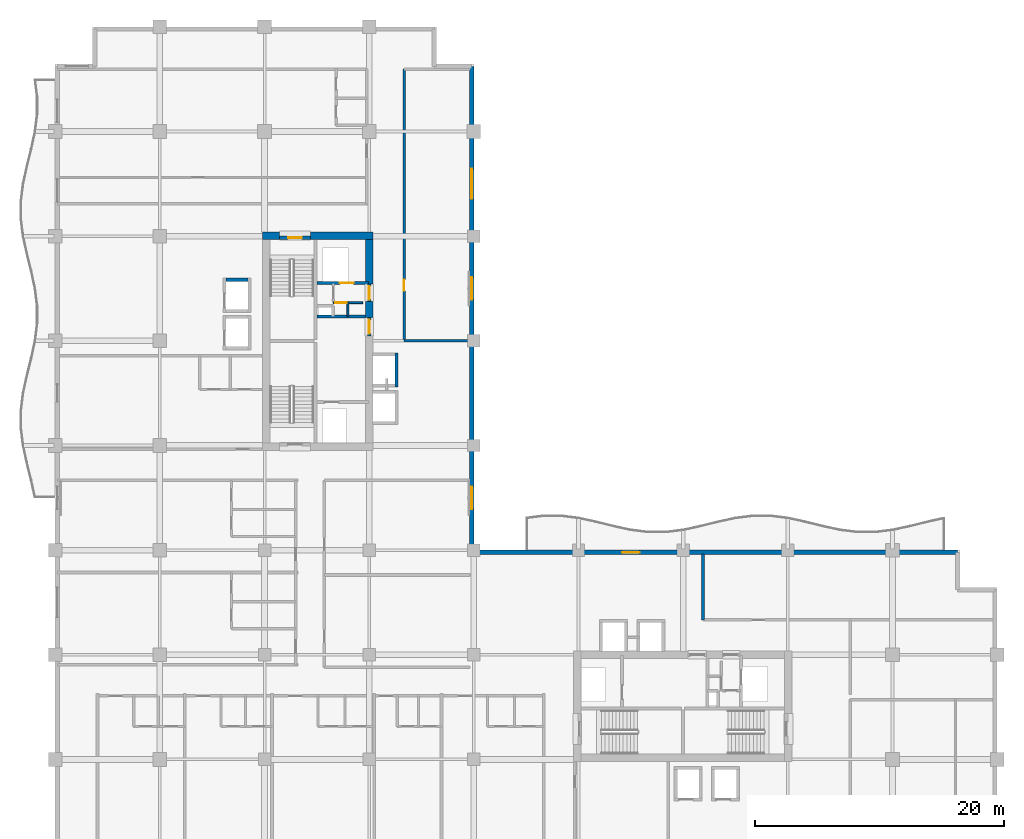
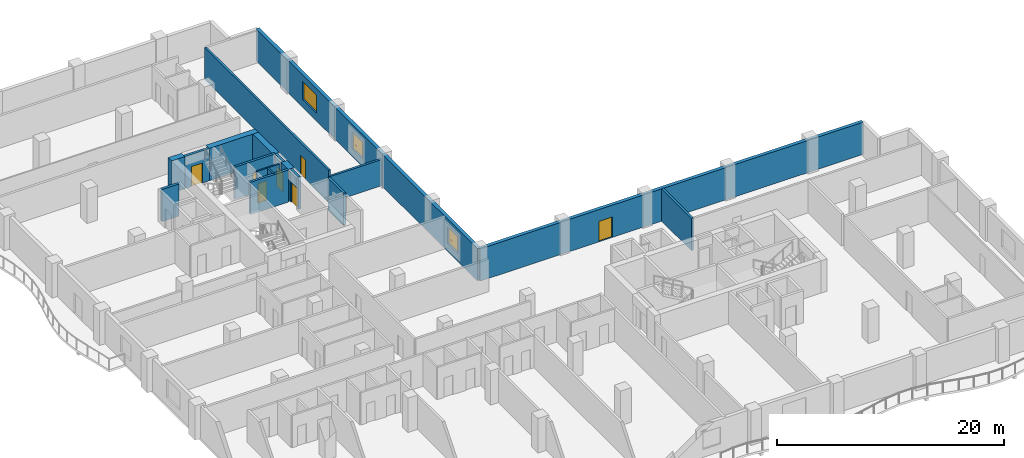
# One storey, part 8 of 15: 18 walls, 7 doors, 3 windows, 10 openings.
"""IFC4 building model written with IfcOpenShell, lengths in metres."""

from ifc_helpers import new_model, si_unit, direction, frame, frame_2d, origin, place, context, subcontext, project, spatial, rectangle, extrude, material, layer, layer_set, type_object, element, fill, save


model = new_model("IFC4")

# Units and contexts
model_context = context("Model", 3, precision=1e-05, world=origin(), true_north=direction((0.0, 1.0)))
body_context = subcontext(model_context, "Body", "Model", "MODEL_VIEW")
ifc_project = project(units=[si_unit("LENGTHUNIT", "METRE"), si_unit("AREAUNIT", "SQUARE_METRE"), si_unit("VOLUMEUNIT", "CUBIC_METRE"), si_unit("PLANEANGLEUNIT", "RADIAN"), si_unit("MASSUNIT", "GRAM", prefix="KILO")], contexts=[model_context])

# Site, building, storey
site_placement = place(None, origin())
site = spatial("IfcSite", under=ifc_project, at=site_placement, CompositionType="ELEMENT")
building_placement = place(site_placement, origin())
building = spatial("IfcBuilding", under=site, at=building_placement, Name="Koriwani Terraces Tower", CompositionType="ELEMENT")
storey_placement = place(building_placement, frame((0.0, 0.0, 193.89990234375)))
storey = spatial("IfcBuildingStorey", under=building, at=storey_placement, Name="L47", CompositionType="ELEMENT", Elevation=193.89990234375)

# Walls
ifc_material_1 = material(Name="Concrete C60/75", Category="concrete")
ifc_layer_1 = layer(ifc_material_1, 0.60009765625, Name="Concrete C60/75")
ifc_layer_set_1 = layer_set([ifc_layer_1], Name="Concrete C60/75")
wall_type_1 = type_object("IfcWallType", Name="WALL_CORE_RC_600", PredefinedType="SHEAR", material=ifc_layer_set_1)
wall_1_placement = place(storey_placement, frame((16.64990234375, 58.85009765625, 0.0), z_axis=(0.0, 0.0, 1.0), x_axis=(1.0, 0.0, 0.0)))
element("IfcWall", 1, at=wall_1_placement, inside=storey, type_object=wall_type_1, Name="L47 West Split Core Shear Wall N1", PredefinedType="SHEAR", context=body_context, shape_type="SweptSolid", body=[
    extrude(rectangle(XDim=1.35009765625, YDim=0.60009765625, at=frame_2d((0.675048828125, 0.0))), origin(), (0.0, 0.0, 1.0), 3.47021484375),
])
wall_2_placement = place(storey_placement, frame((20.5, 58.85009765625, 0.0), z_axis=(0.0, 0.0, 1.0), x_axis=(1.0, 0.0, 0.0)))
element("IfcWall", 2, at=wall_2_placement, inside=storey, type_object=wall_type_1, Name="L47 West Split Core Shear Wall N2", PredefinedType="SHEAR", context=body_context, shape_type="SweptSolid", body=[
    extrude(rectangle(XDim=5.0, YDim=0.60009765625, at=frame_2d((2.5, 0.0))), origin(), (0.0, 0.0, 1.0), 3.47021484375),
])
wall_3_placement = place(storey_placement, frame((25.199951171875, 52.280029296875, 0.0), z_axis=(0.0, 0.0, 1.0), x_axis=(0.0, 1.0, 0.0)))
element("IfcWall", 3, at=wall_3_placement, inside=storey, type_object=wall_type_1, Name="L47 West Split Core Shear Wall E2", PredefinedType="SHEAR", context=body_context, shape_type="SweptSolid", body=[
    extrude(rectangle(XDim=1.27001953125, YDim=0.60009765625, at=frame_2d((0.635009765625, 0.0))), origin(), (0.0, 0.0, 1.0), 3.47021484375),
])
wall_4_placement = place(storey_placement, frame((25.199951171875, 54.949951171875, 0.0), z_axis=(0.0, 0.0, 1.0), x_axis=(0.0, 1.0, 0.0)))
element("IfcWall", 4, at=wall_4_placement, inside=storey, type_object=wall_type_1, Name="L47 West Split Core Shear Wall E3", PredefinedType="SHEAR", context=body_context, shape_type="SweptSolid", body=[
    extrude(rectangle(XDim=3.60009765625, YDim=0.60009765625, at=frame_2d((1.800048828125, 0.0))), origin(), (0.0, 0.0, 1.0), 3.47021484375),
])

# Wall, opening, door
ifc_material_2 = material(Name="Autoclaved Cellular Concrete Blockwork", Category="masonry")
ifc_layer_2 = layer(ifc_material_2, 0.199951171875, Name="Autoclaved Cellular Concrete Blockwork")
ifc_layer_set_2 = layer_set([ifc_layer_2], Name="Autoclaved Cellular Concrete Blockwork")
wall_type_2 = type_object("IfcWallType", Name="WALL_CORRIDOR_200", PredefinedType="PARTITIONING", material=ifc_layer_set_2)
wall_5_placement = place(storey_placement, frame((28.0, 50.39990234375, 0.0), z_axis=(0.0, 0.0, 1.0), x_axis=(0.0, 1.0, 0.0)))
wall_5 = element("IfcWall", 5, at=wall_5_placement, inside=storey, type_object=wall_type_2, Name="L47 Interior Wall WNEC-W-L47", PredefinedType="PARTITIONING", context=body_context, shape_type="SweptSolid", body=[
    extrude(rectangle(XDim=21.800048828125, YDim=0.199951171875, at=frame_2d((10.89990234375, 0.0))), origin(), (0.0, 0.0, 1.0), 3.47021484375),
])
opening_1_placement = place(wall_5_placement, frame((4.0, 0.0, 0.0)))
opening_1 = element("IfcOpeningElement", 6, at=opening_1_placement, cuts=wall_5, Name="Opening D-06", PredefinedType="OPENING", context=body_context, shape_type="SweptSolid", body=[
    extrude(rectangle(XDim=0.919921875, YDim=2.10009765625, at=frame_2d((0.4599609375, 1.050048828125))), frame((0.0, 0.10986328125, 0.0), z_axis=(0.0, -1.0, 0.0), x_axis=(1.0, 0.0, 0.0)), (0.0, 0.0, 1.0), 0.219970703125),
])
ifc_material_3 = material(Name="Architectural Oak Fire Door", Category="wood")
door_type_1 = type_object("IfcDoorType", Name="DOOR_ROOM_INT_920X2100", OperationType="NOTDEFINED", PredefinedType="DOOR", material=ifc_material_3)
door_1_placement = place(opening_1_placement, origin())
door_1 = element("IfcDoor", 7, at=door_1_placement, inside=storey, type_object=door_type_1, Name="L47 North Court Study Door", OperationType="SINGLE_SWING_RIGHT", OverallHeight=2.10009765625, OverallWidth=0.919921875, PredefinedType="DOOR", context=body_context, shape_type="SweptSolid", body=[
    extrude(rectangle(XDim=0.919921875, YDim=2.10009765625, at=frame_2d((0.4599609375, 1.050048828125))), frame((0.0, 0.02490234375, 0.0), z_axis=(0.0, -1.0, 0.0), x_axis=(1.0, 0.0, 0.0)), (0.0, 0.0, 1.0), 0.050048828125),
])
fill(opening_1, door_1)

# Walls
ifc_layer_3 = layer(ifc_material_2, 0.219970703125, Name="Autoclaved Cellular Concrete Blockwork")
ifc_layer_set_3 = layer_set([ifc_layer_3], Name="Autoclaved Cellular Concrete Blockwork")
wall_type_3 = type_object("IfcWallType", Name="WALL_DEMISING_220", PredefinedType="PARTITIONING", material=ifc_layer_set_3)
wall_6_placement = place(storey_placement, frame((28.0, 50.39990234375, 0.0), z_axis=(0.0, 0.0, 1.0), x_axis=(1.0, 0.0, 0.0)))
element("IfcWall", 8, at=wall_6_placement, inside=storey, type_object=wall_type_3, Name="L47 Interior Wall WNEC-S-L47", PredefinedType="PARTITIONING", context=body_context, shape_type="SweptSolid", body=[
    extrude(rectangle(XDim=5.300048828125, YDim=0.219970703125, at=frame_2d((2.64990234375, 0.0))), origin(), (0.0, 0.0, 1.0), 2.820068359375),
])
wall_7_placement = place(storey_placement, frame((52.0, 28.0, 0.0), z_axis=(0.0, 0.0, 1.0), x_axis=(0.0, 1.0, 0.0)))
element("IfcWall", 9, at=wall_7_placement, inside=storey, type_object=wall_type_3, Name="L47 Interior Wall WSET2-W-L47", PredefinedType="PARTITIONING", context=body_context, shape_type="SweptSolid", body=[
    extrude(rectangle(XDim=5.300048828125, YDim=0.219970703125, at=frame_2d((2.64990234375, 0.0))), origin(), (0.0, 0.0, 1.0), 3.47021484375),
])

# Wall, openings, windows
ifc_material_4 = material(Name="Concrete C50/60", Category="concrete")
ifc_layer_4 = layer(ifc_material_4, 0.35009765625, Name="Concrete C50/60")
ifc_layer_set_4 = layer_set([ifc_layer_4], Name="Concrete C50/60")
wall_type_4 = type_object("IfcWallType", Name="WALL_EXT_BRUTALIST_350", PredefinedType="STANDARD", material=ifc_layer_set_4)
wall_8_placement = place(storey_placement, frame((33.425048828125, 72.425048828125, 0.0), z_axis=(0.0, 0.0, 1.0), x_axis=(0.0, -1.0, 0.0)))
wall_8 = element("IfcWall", 10, at=wall_8_placement, inside=storey, type_object=wall_type_4, Name="L47 Fair-Faced Brutalist Exterior Wall (NW_IN)", PredefinedType="STANDARD", context=body_context, shape_type="SweptSolid", body=[
    extrude(rectangle(XDim=39.0, YDim=0.35009765625, at=frame_2d((19.5, 0.0))), origin(), (0.0, 0.0, 1.0), 3.47021484375),
])
opening_2_placement = place(wall_8_placement, frame((33.72509765625, 0.0, 0.85009765625)))
opening_2 = element("IfcOpeningElement", 11, at=opening_2_placement, cuts=wall_8, Name="Opening W-04", PredefinedType="OPENING", context=body_context, shape_type="SweptSolid", body=[
    extrude(rectangle(XDim=1.800048828125, YDim=1.800048828125, at=frame_2d((0.89990234375, 0.89990234375))), frame((0.0, 0.18505859375, 0.0), z_axis=(0.0, -1.0, 0.0), x_axis=(1.0, 0.0, 0.0)), (0.0, 0.0, 1.0), 0.3701171875),
])
opening_3_placement = place(wall_8_placement, frame((16.925048828125, 0.0, 0.85009765625)))
opening_3 = element("IfcOpeningElement", 12, at=opening_3_placement, cuts=wall_8, Name="Opening W-04", PredefinedType="OPENING", context=body_context, shape_type="SweptSolid", body=[
    extrude(rectangle(XDim=1.800048828125, YDim=1.800048828125, at=frame_2d((0.89990234375, 0.89990234375))), frame((0.0, 0.18505859375, 0.0), z_axis=(0.0, -1.0, 0.0), x_axis=(1.0, 0.0, 0.0)), (0.0, 0.0, 1.0), 0.3701171875),
])
opening_4_placement = place(wall_8_placement, frame((8.22509765625, 0.0, 0.85009765625)))
opening_4 = element("IfcOpeningElement", 13, at=opening_4_placement, cuts=wall_8, Name="Opening W-03", PredefinedType="OPENING", context=body_context, shape_type="SweptSolid", body=[
    extrude(rectangle(XDim=2.39990234375, YDim=1.949951171875, at=frame_2d((1.199951171875, 0.97509765625))), frame((0.0, 0.18505859375, 0.0), z_axis=(0.0, -1.0, 0.0), x_axis=(1.0, 0.0, 0.0)), (0.0, 0.0, 1.0), 0.3701171875),
])
ifc_material_5 = material(Name="Tempered Laminated Low-E Glass", Category="glass")
window_type_1 = type_object("IfcWindowType", Name="WIN_RES_BED_1800X1800", PartitioningType="DOUBLE_PANEL_VERTICAL", PredefinedType="WINDOW", material=ifc_material_5)
window_1_placement = place(opening_2_placement, origin())
window_1 = element("IfcWindow", 14, at=window_1_placement, inside=storey, type_object=window_type_1, Name="L47 Exterior Window (NW_IN-2)", OverallHeight=1.800048828125, OverallWidth=1.800048828125, PartitioningType="SINGLE_PANEL", PredefinedType="WINDOW", context=body_context, shape_type="SweptSolid", body=[
    extrude(rectangle(XDim=1.800048828125, YDim=1.800048828125, at=frame_2d((0.89990234375, 0.89990234375))), frame((0.0, 0.030029296875, 0.0), z_axis=(0.0, -1.0, 0.0), x_axis=(1.0, 0.0, 0.0)), (0.0, 0.0, 1.0), 0.06005859375),
])
fill(opening_2, window_1)
window_2_placement = place(opening_3_placement, origin())
window_2 = element("IfcWindow", 15, at=window_2_placement, inside=storey, type_object=window_type_1, Name="L47 Exterior Window (NW_IN-8)", OverallHeight=1.800048828125, OverallWidth=1.800048828125, PartitioningType="SINGLE_PANEL", PredefinedType="WINDOW", context=body_context, shape_type="SweptSolid", body=[
    extrude(rectangle(XDim=1.800048828125, YDim=1.800048828125, at=frame_2d((0.89990234375, 0.89990234375))), frame((0.0, 0.030029296875, 0.0), z_axis=(0.0, -1.0, 0.0), x_axis=(1.0, 0.0, 0.0)), (0.0, 0.0, 1.0), 0.06005859375),
])
fill(opening_3, window_2)
window_type_2 = type_object("IfcWindowType", Name="WIN_RES_LIVING_2400X1950", PartitioningType="DOUBLE_PANEL_VERTICAL", PredefinedType="WINDOW", material=ifc_material_5)
window_3_placement = place(opening_4_placement, origin())
window_3 = element("IfcWindow", 16, at=window_3_placement, inside=storey, type_object=window_type_2, Name="L47 Exterior Window (NW_IN-11)", OverallHeight=1.949951171875, OverallWidth=2.39990234375, PartitioningType="SINGLE_PANEL", PredefinedType="WINDOW", context=body_context, shape_type="SweptSolid", body=[
    extrude(rectangle(XDim=2.39990234375, YDim=1.949951171875, at=frame_2d((1.199951171875, 0.97509765625))), frame((0.0, 0.030029296875, 0.0), z_axis=(0.0, -1.0, 0.0), x_axis=(1.0, 0.0, 0.0)), (0.0, 0.0, 1.0), 0.06005859375),
])
fill(opening_4, window_3)

# Wall, opening, door
wall_9_placement = place(storey_placement, frame((33.425048828125, 33.425048828125, 0.0), z_axis=(0.0, 0.0, 1.0), x_axis=(1.0, 0.0, 0.0)))
wall_9 = element("IfcWall", 17, at=wall_9_placement, inside=storey, type_object=wall_type_4, Name="L47 Fair-Faced Brutalist Exterior Wall (NE)", PredefinedType="STANDARD", context=body_context, shape_type="SweptSolid", body=[
    extrude(rectangle(XDim=39.0, YDim=0.35009765625, at=frame_2d((19.5, 0.0))), origin(), (0.0, 0.0, 1.0), 3.47021484375),
])
opening_5_placement = place(wall_9_placement, frame((12.074951171875, 0.0, 0.0)))
opening_5 = element("IfcOpeningElement", 18, at=opening_5_placement, cuts=wall_9, Name="Opening D-09", PredefinedType="OPENING", context=body_context, shape_type="SweptSolid", body=[
    extrude(rectangle(XDim=1.39990234375, YDim=2.199951171875, at=frame_2d((0.699951171875, 1.10009765625))), frame((0.0, 0.18505859375, 0.0), z_axis=(0.0, -1.0, 0.0), x_axis=(1.0, 0.0, 0.0)), (0.0, 0.0, 1.0), 0.3701171875),
])
ifc_material_6 = material(Name="Anodised Bronze Aluminium", Category="aluminium")
door_type_2 = type_object("IfcDoorType", Name="DOOR_BALCONY_GLAZED_1400X2200", OperationType="NOTDEFINED", PredefinedType="DOOR", material=ifc_material_6)
door_2_placement = place(opening_5_placement, origin())
door_2 = element("IfcDoor", 19, at=door_2_placement, inside=storey, type_object=door_type_2, Name="L47 Inner Court Balcony Glazed Door", OperationType="SINGLE_SWING_LEFT", OverallHeight=2.199951171875, OverallWidth=1.39990234375, PredefinedType="DOOR", context=body_context, shape_type="SweptSolid", body=[
    extrude(rectangle(XDim=1.39990234375, YDim=2.199951171875, at=frame_2d((0.699951171875, 1.10009765625))), frame((0.0, 0.02490234375, 0.0), z_axis=(0.0, -1.0, 0.0), x_axis=(1.0, 0.0, 0.0)), (0.0, 0.0, 1.0), 0.050048828125),
])
fill(opening_5, door_2)

ifc_material_7 = material(Name="Concrete C40/50", Category="concrete")
ifc_layer_5 = layer(ifc_material_7, 0.25, Name="Concrete C40/50")
ifc_layer_set_5 = layer_set([ifc_layer_5], Name="Concrete C40/50")
wall_type_5 = type_object("IfcWallType", Name="WALL_SHAFT_RATED_250", PredefinedType="SOLIDWALL", material=ifc_layer_set_5)
wall_10_placement = place(storey_placement, frame((18.0, 58.675048828125, 0.0), z_axis=(0.0, 0.0, 1.0), x_axis=(1.0, 0.0, 0.0)))
wall_10 = element("IfcWall", 20, at=wall_10_placement, inside=storey, type_object=wall_type_5, Name="L47 Interior Wall WIN-CW-L47-STN", PredefinedType="SOLIDWALL", context=body_context, shape_type="SweptSolid", body=[
    extrude(rectangle(XDim=2.5, YDim=0.25, at=frame_2d((1.25, 0.0))), origin(), (0.0, 0.0, 1.0), 3.47021484375),
])
opening_6_placement = place(wall_10_placement, frame((0.699951171875, 0.0, 0.0)))
opening_6 = element("IfcOpeningElement", 21, at=opening_6_placement, cuts=wall_10, Name="Opening D-03", PredefinedType="OPENING", context=body_context, shape_type="SweptSolid", body=[
    extrude(rectangle(XDim=1.10009765625, YDim=2.14990234375, at=frame_2d((0.550048828125, 1.074951171875))), frame((0.0, 0.135009765625, 0.0), z_axis=(0.0, -1.0, 0.0), x_axis=(1.0, 0.0, 0.0)), (0.0, 0.0, 1.0), 0.27001953125),
])
ifc_material_8 = material(Name="Steel ASTM A572 Grade 50", Category="steel")
door_type_3 = type_object("IfcDoorType", Name="DOOR_STAIR_FIRE_1100X2150", OperationType="NOTDEFINED", PredefinedType="DOOR", material=ifc_material_8)
door_3_placement = place(opening_6_placement, origin())
door_3 = element("IfcDoor", 22, at=door_3_placement, inside=storey, type_object=door_type_3, Name="L47 Exit Stair ST-W2 Door", OperationType="SINGLE_SWING_RIGHT", OverallHeight=2.14990234375, OverallWidth=1.10009765625, PredefinedType="DOOR", context=body_context, shape_type="SweptSolid", body=[
    extrude(rectangle(XDim=1.10009765625, YDim=2.14990234375, at=frame_2d((0.550048828125, 1.074951171875))), frame((0.0, 0.02490234375, 0.0), z_axis=(0.0, -1.0, 0.0), x_axis=(1.0, 0.0, 0.0)), (0.0, 0.0, 1.0), 0.050048828125),
])
fill(opening_6, door_3)

wall_11_placement = place(storey_placement, frame((25.199951171875, 50.800048828125, 0.0), z_axis=(0.0, 0.0, 1.0), x_axis=(0.0, 1.0, 0.0)))
wall_11 = element("IfcWall", 23, at=wall_11_placement, inside=storey, type_object=wall_type_5, Name="L47 Interior Wall WIN-CW-L47-EP", PredefinedType="SOLIDWALL", context=body_context, shape_type="SweptSolid", body=[
    extrude(rectangle(XDim=1.47998046875, YDim=0.25, at=frame_2d((0.739990234375, 0.0))), origin(), (0.0, 0.0, 1.0), 3.47021484375),
])
opening_7_placement = place(wall_11_placement, frame((0.179931640625, 0.0, 0.0)))
opening_7 = element("IfcOpeningElement", 24, at=opening_7_placement, cuts=wall_11, Name="Opening D-03", PredefinedType="OPENING", context=body_context, shape_type="SweptSolid", body=[
    extrude(rectangle(XDim=1.10009765625, YDim=2.14990234375, at=frame_2d((0.550048828125, 1.074951171875))), frame((0.0, 0.135009765625, 0.0), z_axis=(0.0, -1.0, 0.0), x_axis=(1.0, 0.0, 0.0)), (0.0, 0.0, 1.0), 0.27001953125),
])
door_4_placement = place(opening_7_placement, origin())
door_4 = element("IfcDoor", 25, at=door_4_placement, inside=storey, type_object=door_type_3, Name="L47 West Firefighting Lobby Door", OperationType="SINGLE_SWING_LEFT", OverallHeight=2.14990234375, OverallWidth=1.10009765625, PredefinedType="DOOR", context=body_context, shape_type="SweptSolid", body=[
    extrude(rectangle(XDim=1.10009765625, YDim=2.14990234375, at=frame_2d((0.550048828125, 1.074951171875))), frame((0.0, 0.02490234375, 0.0), z_axis=(0.0, -1.0, 0.0), x_axis=(1.0, 0.0, 0.0)), (0.0, 0.0, 1.0), 0.050048828125),
])
fill(opening_7, door_4)

# Wall
wall_12_placement = place(storey_placement, frame((21.0, 52.340087890625, 0.0), z_axis=(0.0, 0.0, 1.0), x_axis=(1.0, 0.0, 0.0)))
element("IfcWall", 26, at=wall_12_placement, inside=storey, type_object=wall_type_5, Name="L47 Interior Wall WIN-CW-L47-FFN", PredefinedType="SOLIDWALL", context=body_context, shape_type="SweptSolid", body=[
    extrude(rectangle(XDim=3.89990234375, YDim=0.25, at=frame_2d((1.949951171875, 0.0))), origin(), (0.0, 0.0, 1.0), 3.47021484375),
])

# Wall, opening, door
wall_13_placement = place(storey_placement, frame((21.0, 55.050048828125, 0.0), z_axis=(0.0, 0.0, 1.0), x_axis=(1.0, 0.0, 0.0)))
wall_13 = element("IfcWall", 27, at=wall_13_placement, inside=storey, type_object=wall_type_5, Name="L47 Interior Wall WIN-CW-L47-SE", PredefinedType="SOLIDWALL", context=body_context, shape_type="SweptSolid", body=[
    extrude(rectangle(XDim=4.14990234375, YDim=0.25, at=frame_2d((2.074951171875, 0.0))), origin(), (0.0, 0.0, 1.0), 3.47021484375),
])
opening_8_placement = place(wall_13_placement, frame((1.85009765625, 0.0, 0.0)))
opening_8 = element("IfcOpeningElement", 28, at=opening_8_placement, cuts=wall_13, Name="Opening LD-01", PredefinedType="OPENING", context=body_context, shape_type="SweptSolid", body=[
    extrude(rectangle(XDim=1.10009765625, YDim=2.14990234375, at=frame_2d((0.550048828125, 1.074951171875))), frame((0.0, 0.135009765625, 0.0), z_axis=(0.0, -1.0, 0.0), x_axis=(1.0, 0.0, 0.0)), (0.0, 0.0, 1.0), 0.27001953125),
])
door_type_4 = type_object("IfcDoorType", Name="DOOR_LIFT_LANDING_1100X2200", OperationType="NOTDEFINED", PredefinedType="DOOR", material=ifc_material_8)
door_5_placement = place(opening_8_placement, origin())
door_5 = element("IfcDoor", 29, at=door_5_placement, inside=storey, type_object=door_type_4, Name="L47 Goods Lift SE-01 Landing Door", OperationType="SLIDING_TO_LEFT", OverallHeight=2.14990234375, OverallWidth=1.10009765625, PredefinedType="DOOR", context=body_context, shape_type="SweptSolid", body=[
    extrude(rectangle(XDim=1.10009765625, YDim=2.14990234375, at=frame_2d((0.550048828125, 1.074951171875))), frame((0.0, 0.02490234375, 0.0), z_axis=(0.0, -1.0, 0.0), x_axis=(1.0, 0.0, 0.0)), (0.0, 0.0, 1.0), 0.050048828125),
])
fill(opening_8, door_5)

wall_14_placement = place(storey_placement, frame((25.199951171875, 53.550048828125, 0.0), z_axis=(0.0, 0.0, 1.0), x_axis=(0.0, 1.0, 0.0)))
wall_14 = element("IfcWall", 30, at=wall_14_placement, inside=storey, type_object=wall_type_5, Name="L47 Interior Wall WIN-CW-L47-EP2", PredefinedType="SOLIDWALL", context=body_context, shape_type="SweptSolid", body=[
    extrude(rectangle(XDim=1.39990234375, YDim=0.25, at=frame_2d((0.699951171875, 0.0))), origin(), (0.0, 0.0, 1.0), 3.47021484375),
])
opening_9_placement = place(wall_14_placement, frame((0.14990234375, 0.0, 0.0)))
opening_9 = element("IfcOpeningElement", 31, at=opening_9_placement, cuts=wall_14, Name="Opening D-03", PredefinedType="OPENING", context=body_context, shape_type="SweptSolid", body=[
    extrude(rectangle(XDim=1.10009765625, YDim=2.14990234375, at=frame_2d((0.550048828125, 1.074951171875))), frame((0.0, 0.135009765625, 0.0), z_axis=(0.0, -1.0, 0.0), x_axis=(1.0, 0.0, 0.0)), (0.0, 0.0, 1.0), 0.27001953125),
])
door_6_placement = place(opening_9_placement, origin())
door_6 = element("IfcDoor", 32, at=door_6_placement, inside=storey, type_object=door_type_3, Name="L47 West Goods Lift Lobby Door", OperationType="SINGLE_SWING_RIGHT", OverallHeight=2.14990234375, OverallWidth=1.10009765625, PredefinedType="DOOR", context=body_context, shape_type="SweptSolid", body=[
    extrude(rectangle(XDim=1.10009765625, YDim=2.14990234375, at=frame_2d((0.550048828125, 1.074951171875))), frame((0.0, 0.02490234375, 0.0), z_axis=(0.0, -1.0, 0.0), x_axis=(1.0, 0.0, 0.0)), (0.0, 0.0, 1.0), 0.050048828125),
])
fill(opening_9, door_6)

# Walls
wall_15_placement = place(storey_placement, frame((13.72509765625, 55.300048828125, 0.0), z_axis=(0.0, 0.0, 1.0), x_axis=(1.0, 0.0, 0.0)))
element("IfcWall", 33, at=wall_15_placement, inside=storey, type_object=wall_type_5, Name="L47 Interior Wall WIN-LF-PE-M2-L47-N", PredefinedType="SOLIDWALL", context=body_context, shape_type="SweptSolid", body=[
    extrude(rectangle(XDim=1.75, YDim=0.25, at=frame_2d((0.875, 0.0))), origin(), (0.0, 0.0, 1.0), 3.47021484375),
])
wall_16_placement = place(storey_placement, frame((27.39990234375, 46.675048828125, 0.0), z_axis=(0.0, 0.0, 1.0), x_axis=(0.0, 1.0, 0.0)))
element("IfcWall", 34, at=wall_16_placement, inside=storey, type_object=wall_type_5, Name="L47 Interior Wall WIN-LF-PE-H2-L47-F", PredefinedType="SOLIDWALL", context=body_context, shape_type="SweptSolid", body=[
    extrude(rectangle(XDim=2.75, YDim=0.25, at=frame_2d((1.375, 0.0))), origin(), (0.0, 0.0, 1.0), 3.47021484375),
])

# Wall, opening, door
ifc_material_9 = material(Name="Fire-Rated Acoustic Gypsum Partition", Category="masonry")
ifc_layer_6 = layer(ifc_material_9, 0.159912109375, Name="Fire-Rated Acoustic Gypsum Partition")
ifc_layer_set_6 = layer_set([ifc_layer_6], Name="Fire-Rated Acoustic Gypsum Partition")
wall_type_6 = type_object("IfcWallType", Name="WALL_SUITE_160", PredefinedType="PARTITIONING", material=ifc_layer_set_6)
wall_17_placement = place(storey_placement, frame((22.320068359375, 53.4599609375, 0.0), z_axis=(0.0, 0.0, 1.0), x_axis=(1.0, 0.0, 0.0)))
wall_17 = element("IfcWall", 35, at=wall_17_placement, inside=storey, type_object=wall_type_6, Name="L47 Interior Wall WIN-CW-L47-SV2H", PredefinedType="PARTITIONING", context=body_context, shape_type="SweptSolid", body=[
    extrude(rectangle(XDim=2.35986328125, YDim=0.159912109375, at=frame_2d((1.179931640625, 0.0))), origin(), (0.0, 0.0, 1.0), 3.47021484375),
])
opening_10_placement = place(wall_17_placement, frame((0.159912109375, 0.0, 0.0)))
opening_10 = element("IfcOpeningElement", 36, at=opening_10_placement, cuts=wall_17, Name="Opening D-07", PredefinedType="OPENING", context=body_context, shape_type="SweptSolid", body=[
    extrude(rectangle(XDim=0.89990234375, YDim=2.10009765625, at=frame_2d((0.449951171875, 1.050048828125))), frame((0.0, 0.08984375, 0.0), z_axis=(0.0, -1.0, 0.0), x_axis=(1.0, 0.0, 0.0)), (0.0, 0.0, 1.0), 0.179931640625),
])
door_type_5 = type_object("IfcDoorType", Name="DOOR_BATH_INT_900X2100", OperationType="NOTDEFINED", PredefinedType="DOOR", material=ifc_material_3)
door_7_placement = place(opening_10_placement, origin())
door_7 = element("IfcDoor", 37, at=door_7_placement, inside=storey, type_object=door_type_5, Name="L47 West Valve Room Door", OperationType="SINGLE_SWING_RIGHT", OverallHeight=2.10009765625, OverallWidth=0.89990234375, PredefinedType="DOOR", context=body_context, shape_type="SweptSolid", body=[
    extrude(rectangle(XDim=0.89990234375, YDim=2.10009765625, at=frame_2d((0.449951171875, 1.050048828125))), frame((0.0, 0.02490234375, 0.0), z_axis=(0.0, -1.0, 0.0), x_axis=(1.0, 0.0, 0.0)), (0.0, 0.0, 1.0), 0.050048828125),
])
fill(opening_10, door_7)

# Wall
wall_18_placement = place(storey_placement, frame((23.47998046875, 52.360107421875, 0.0), z_axis=(0.0, 0.0, 1.0), x_axis=(0.0, 1.0, 0.0)))
element("IfcWall", 38, at=wall_18_placement, inside=storey, type_object=wall_type_6, Name="L47 Interior Wall WIN-CW-L47-SV2V", PredefinedType="PARTITIONING", context=body_context, shape_type="SweptSolid", body=[
    extrude(rectangle(XDim=1.099853515625, YDim=0.159912109375, at=frame_2d((0.5498046875, 0.0))), origin(), (0.0, 0.0, 1.0), 3.47021484375),
])

save(model, "model.ifc")
